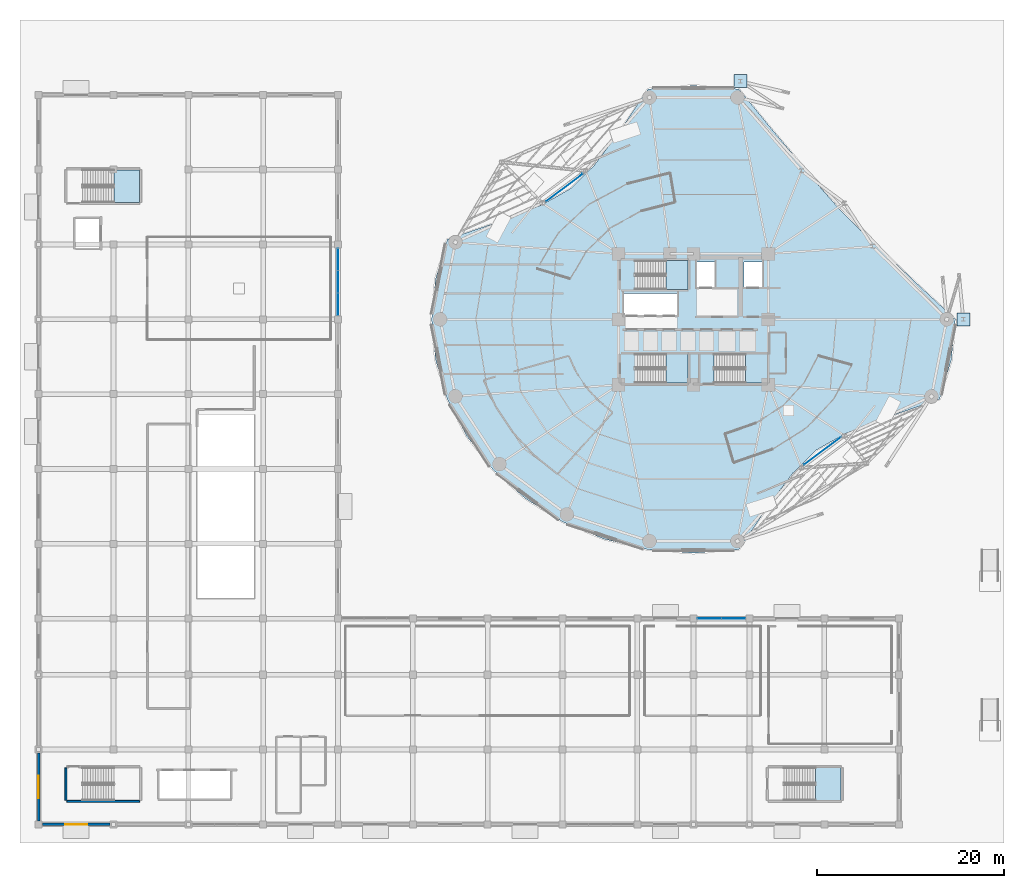
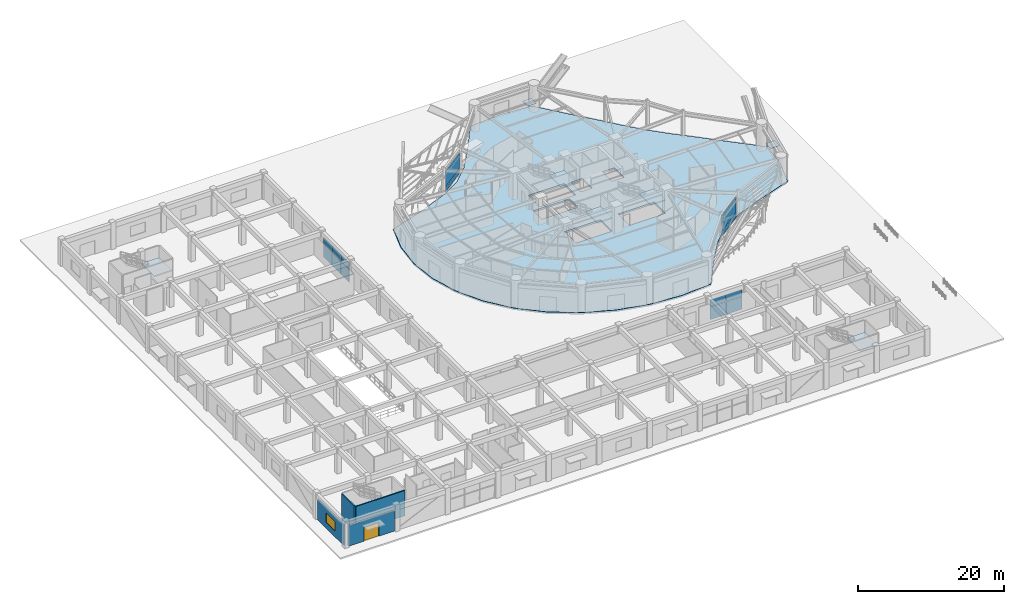
# One storey, part 25 of 40: 16 plates, 6 slabs, 4 walls, 1 door, 1 window, 2 openings, 9 elements without a shape of their own.
"""IFC4 building model written with IfcOpenShell, lengths in metres."""

import ifcopenshell
import ifcopenshell.guid

model = None  # the IFC model being written
_history = None  # IfcOwnerHistory: only IFC2X3 demands one
_inside = {}  # id of a spatial element -> (the spatial element, [elements in it])
_under = {}  # id of a project, library or spatial element -> (it, [spatial elements below it])
_declared = {}  # id of a project -> (the project, [libraries it declares])
_typed = {}  # id of a type object -> (the type object, [elements of that type])
_made_of = {}  # id of a material, layer set ... -> (it, [elements and type objects made of it])


def new_model(schema):
    """Start an empty IFC model of exactly this schema.

    Asked for "IFC4X3", IfcOpenShell would pick the latest addendum, in which some entities
    have other attributes; the version numbers below select the first issue.
    IFC2X3 requires an IfcOwnerHistory on every rooted entity: one is made here for all.
    """
    global model, _history
    if schema == "IFC4X3":
        model = ifcopenshell.file(schema_version=(4, 3, 0, 0))
    else:
        model = ifcopenshell.file(schema=schema)
    _inside.clear()
    _under.clear()
    _declared.clear()
    _typed.clear()
    _made_of.clear()
    _history = None
    if model.schema == "IFC2X3":
        org = make("IfcOrganization", Name="unknown")
        user = make(
            "IfcPersonAndOrganization",
            ThePerson=make("IfcPerson", FamilyName="unknown"),
            TheOrganization=org,
        )
        app = make(
            "IfcApplication",
            ApplicationDeveloper=org,
            Version="unknown",
            ApplicationFullName="unknown",
            ApplicationIdentifier="unknown",
        )
        _history = make(
            "IfcOwnerHistory",
            OwningUser=user,
            OwningApplication=app,
            ChangeAction="ADDED",
            CreationDate=0,
        )
    return model


def make(cls, **values):
    """One entity of the class cls with the attributes given. An attribute that is None is left unset."""
    return model.create_entity(
        cls, **{name: value for name, value in values.items() if value is not None}
    )


def rooted(cls, **values):
    """An entity with a GlobalId (a new one), such as an element, a storey or a relation."""
    return make(cls, GlobalId=ifcopenshell.guid.new(), OwnerHistory=_history, **values)


def si_unit(unit_type, name, prefix=None):
    """IfcSIUnit, for example si_unit("LENGTHUNIT", "METRE", prefix="MILLI")."""
    return make("IfcSIUnit", UnitType=unit_type, Prefix=prefix, Name=name)


def assignment(units):
    """IfcUnitAssignment: the units of a project."""
    return None if units is None else make("IfcUnitAssignment", Units=units)


def point(xyz):
    """IfcCartesianPoint."""
    return None if xyz is None else make("IfcCartesianPoint", Coordinates=xyz)


def direction(xyz):
    """IfcDirection."""
    return None if xyz is None else make("IfcDirection", DirectionRatios=xyz)


def frame(location, z_axis=None, x_axis=None):
    """IfcAxis2Placement3D, a coordinate frame: its origin and axes. An axis left out is left unset."""
    return make(
        "IfcAxis2Placement3D",
        Location=point(location),
        Axis=direction(z_axis),
        RefDirection=direction(x_axis),
    )


def frame_2d(location, x_axis=None):
    """IfcAxis2Placement2D, a coordinate frame in the plane: its origin and x axis."""
    return make(
        "IfcAxis2Placement2D", Location=point(location), RefDirection=direction(x_axis)
    )


def origin():
    """The frame at (0, 0, 0) with its axes left unset."""
    return frame((0.0, 0.0, 0.0))


def origin_2d():
    """The frame at (0, 0) in the plane with its x axis left unset."""
    return frame_2d((0.0, 0.0))


def place(relative_to, where):
    """IfcLocalPlacement: puts the frame where relative to a parent placement (None: the world)."""
    return make(
        "IfcLocalPlacement", PlacementRelTo=relative_to, RelativePlacement=where
    )


def context(
    kind, dimensions, precision=None, world=None, true_north=None, identifier=None
):
    """IfcGeometricRepresentationContext, for example the 3D "Model" context."""
    return make(
        "IfcGeometricRepresentationContext",
        ContextIdentifier=identifier,
        ContextType=kind,
        CoordinateSpaceDimension=dimensions,
        Precision=precision,
        WorldCoordinateSystem=world,
        TrueNorth=true_north,
    )


def subcontext(parent, identifier, kind, view, scale=None):
    """IfcGeometricRepresentationSubContext, for example "Body" below "Model"."""
    return make(
        "IfcGeometricRepresentationSubContext",
        ContextIdentifier=identifier,
        ContextType=kind,
        ParentContext=parent,
        TargetScale=scale,
        TargetView=view,
    )


def project(units=None, contexts=None):
    """IfcProject with its units and contexts."""
    return rooted(
        "IfcProject",
        Name="project",
        RepresentationContexts=contexts,
        UnitsInContext=assignment(units),
    )


def spatial(cls, under=None, at=None, **own):
    """A site, building, storey or space (cls), placed at a placement, below another one or the project."""
    s = rooted(cls, ObjectPlacement=at, **own)
    if under is not None:
        _under.setdefault(under.id(), (under, []))[1].append(s)
    return s


def polyline(points):
    """IfcPolyline through the points."""
    return make("IfcPolyline", Points=[point(p) for p in points])


def profile(cls, at=None, kind="AREA", **sizes):
    """A parametric profile (cls). Its sizes go by their IFC names, for example OverallWidth=200.0."""
    return make(cls, ProfileType=kind, Position=at, **sizes)


def rectangle(**sizes):
    """IfcRectangleProfileDef."""
    return profile("IfcRectangleProfileDef", **sizes)


def outline(outer, holes=None, kind="AREA"):
    """IfcArbitraryClosedProfileDef: a profile drawn as a closed curve; with holes, ...WithVoids."""
    if holes is None:
        return make("IfcArbitraryClosedProfileDef", ProfileType=kind, OuterCurve=outer)
    return make(
        "IfcArbitraryProfileDefWithVoids",
        ProfileType=kind,
        OuterCurve=outer,
        InnerCurves=holes,
    )


def extrude(swept, where, along, depth):
    """IfcExtrudedAreaSolid: the profile swept, set in the frame where, extruded along a direction by depth."""
    return make(
        "IfcExtrudedAreaSolid",
        SweptArea=swept,
        Position=where,
        ExtrudedDirection=direction(along),
        Depth=depth,
    )


def shape(context_of_items, identifier, shape_type, items):
    """IfcShapeRepresentation: the items that make up one representation, for example the "Body"."""
    return make(
        "IfcShapeRepresentation",
        ContextOfItems=context_of_items,
        RepresentationIdentifier=identifier,
        RepresentationType=shape_type,
        Items=items,
    )


def source(mapping_origin, context_of_items, identifier, shape_type, items):
    """IfcRepresentationMap: a shape defined once, which mapped items show again and again."""
    return make(
        "IfcRepresentationMap",
        MappingOrigin=mapping_origin,
        MappedRepresentation=shape(context_of_items, identifier, shape_type, items),
    )


def transform(
    local_origin,
    x_axis=None,
    y_axis=None,
    z_axis=None,
    scale=None,
    scale2=None,
    scale3=None,
    uniform=True,
):
    """IfcCartesianTransformationOperator3D, or its non-uniform kind. x_axis, y_axis, z_axis: its Axis1, 2, 3."""
    if uniform:
        return make(
            "IfcCartesianTransformationOperator3D",
            Axis1=direction(x_axis),
            Axis2=direction(y_axis),
            LocalOrigin=point(local_origin),
            Scale=scale,
            Axis3=direction(z_axis),
        )
    return make(
        "IfcCartesianTransformationOperator3DnonUniform",
        Axis1=direction(x_axis),
        Axis2=direction(y_axis),
        LocalOrigin=point(local_origin),
        Scale=scale,
        Axis3=direction(z_axis),
        Scale2=scale2,
        Scale3=scale3,
    )


def mapped(mapping_source, mapping_target):
    """IfcMappedItem: shows the shape of a source again, moved by a transform."""
    return make(
        "IfcMappedItem", MappingSource=mapping_source, MappingTarget=mapping_target
    )


def material(Name=None, Category=None):
    """IfcMaterial."""
    return make("IfcMaterial", Name=Name, Category=Category)


def layer(
    of_material, thickness, ventilated=None, Name=None, Category=None, Priority=None
):
    """IfcMaterialLayer: one layer of a wall or slab, of a material (None: an air gap)."""
    return make(
        "IfcMaterialLayer",
        Material=of_material,
        LayerThickness=thickness,
        IsVentilated=ventilated,
        Name=Name,
        Category=Category,
        Priority=Priority,
    )


def layer_set(layers, Name=None):
    """IfcMaterialLayerSet."""
    return make("IfcMaterialLayerSet", MaterialLayers=layers, LayerSetName=Name)


def made_of(thing, what):
    """Note that an element or type object is made of a material, layer set ...; save() writes the relation."""
    if what is not None:
        _made_of.setdefault(what.id(), (what, []))[1].append(thing)
    return thing


def type_object(cls, material=None, **own):
    """A type object (cls), such as IfcWallType, which elements share."""
    return made_of(rooted(cls, **own), material)


def element(
    cls,
    number,
    at=None,
    inside=None,
    cuts=None,
    type_object=None,
    material=None,
    context=None,
    identifier="Body",
    shape_type=None,
    held_by="IfcProductDefinitionShape",
    body=None,
    shapes=None,
    **own,
):
    """One element of the class cls, such as IfcWall. Its Tag is "e" and its number.

    at: its placement. inside: the storey or other place that contains it. cuts: it is an
    opening in that element (IfcRelVoidsElement). A single representation is given by context,
    identifier, shape_type and body (its items); several are given by shapes. held_by: the class
    of the entity that holds the representations. save() writes the other relations.
    """
    e = rooted(cls, Tag="e%d" % number, ObjectPlacement=at, **own)
    if body is not None:
        shapes = [shape(context, identifier, shape_type, body)]
    if shapes is not None:
        e.Representation = make(held_by, Representations=shapes)
    if inside is not None:
        _inside.setdefault(inside.id(), (inside, []))[1].append(e)
    if cuts is not None:
        rooted(
            "IfcRelVoidsElement", RelatingBuildingElement=cuts, RelatedOpeningElement=e
        )
    if type_object is not None:
        _typed.setdefault(type_object.id(), (type_object, []))[1].append(e)
    return made_of(e, material)


def fill(opening, filler):
    """IfcRelFillsElement: the door or window that sits in an opening."""
    return rooted(
        "IfcRelFillsElement",
        RelatingOpeningElement=opening,
        RelatedBuildingElement=filler,
    )


def aggregate(whole, parts):
    """IfcRelAggregates: a whole, such as a stair, and the parts it consists of."""
    return rooted("IfcRelAggregates", RelatingObject=whole, RelatedObjects=parts)


def save(model, path):
    """Write the relations noted so far, then the file.

    IfcRelAggregates (storeys below a building ...), IfcRelContainedInSpatialStructure (elements
    in a storey), IfcRelDefinesByType, IfcRelAssociatesMaterial and IfcRelDeclares: one each for
    every whole, place, type object, material and project.
    """
    for whole, parts in _under.values():
        aggregate(whole, parts)
    for where, things in _inside.values():
        rooted(
            "IfcRelContainedInSpatialStructure",
            RelatedElements=things,
            RelatingStructure=where,
        )
    for kind, things in _typed.values():
        rooted("IfcRelDefinesByType", RelatedObjects=things, RelatingType=kind)
    for what, things in _made_of.values():
        rooted("IfcRelAssociatesMaterial", RelatedObjects=things, RelatingMaterial=what)
    for by, libraries in _declared.values():
        rooted("IfcRelDeclares", RelatingContext=by, RelatedDefinitions=libraries)
    model.write(path)


model = new_model("IFC4")

# Units and contexts
model_context = context("Model", 3, precision=1e-05, world=origin(), true_north=direction((0.0, 1.0)))
body_context = subcontext(model_context, "Body", "Model", "MODEL_VIEW")
ifc_project = project(units=[si_unit("LENGTHUNIT", "METRE"), si_unit("AREAUNIT", "SQUARE_METRE"), si_unit("VOLUMEUNIT", "CUBIC_METRE"), si_unit("PLANEANGLEUNIT", "RADIAN"), si_unit("MASSUNIT", "GRAM", prefix="KILO")], contexts=[model_context])

# Site, building, storey
site_placement = place(None, origin())
site = spatial("IfcSite", under=ifc_project, at=site_placement, CompositionType="ELEMENT")
building_placement = place(site_placement, origin())
building = spatial("IfcBuilding", under=site, at=building_placement, Name="Kelanora Arch Commons", CompositionType="ELEMENT")
storey_placement = place(building_placement, origin())
storey = spatial("IfcBuildingStorey", under=building, at=storey_placement, Name="L00", CompositionType="ELEMENT", Elevation=0.0)

# Stair, slab
ifc_material_1 = material(Name="Concrete C40/50", Category="concrete")
stair_type = type_object("IfcStairType", Name="STR-DL-450", PredefinedType="HALF_TURN_STAIR", material=ifc_material_1)
stair_1_placement = place(storey_placement, origin())
stair_1 = element("IfcStair", 1, at=stair_1_placement, inside=storey, type_object=stair_type, Name="L00 ST-T1", PredefinedType="HALF_TURN_STAIR")
ifc_layer_1 = layer(ifc_material_1, 0.199951171875)
ifc_layer_set_1 = layer_set([ifc_layer_1], Name="Concrete C40/50")
slab_type_1 = type_object("IfcSlabType", Name="SLB-STAIR-LND", PredefinedType="LANDING", material=ifc_layer_set_1)
slab_1_placement = place(storey_placement, frame((0.0, 0.0, 2.050048828125)))
slab_1 = element("IfcSlab", 2, at=slab_1_placement, type_object=slab_type_1, Name="ST-T1 landing 1", PredefinedType="LANDING", context=body_context, shape_type="SweptSolid", body=[
    extrude(outline(polyline([(71.080078125, 61.179931640625), (73.43994140625, 61.179931640625), (73.43994140625, 64.2900390625), (71.080078125, 64.2900390625), (71.080078125, 61.179931640625)])), origin(), (0.0, 0.0, 1.0), 0.199951171875),
])
aggregate(stair_1, [slab_1])

stair_2_placement = place(storey_placement, origin())
stair_2 = element("IfcStair", 3, at=stair_2_placement, inside=storey, type_object=stair_type, Name="L00 ST-T2", PredefinedType="HALF_TURN_STAIR")
slab_2_placement = place(storey_placement, frame((0.0, 0.0, 2.050048828125)))
slab_2 = element("IfcSlab", 4, at=slab_2_placement, type_object=slab_type_1, Name="ST-T2 landing 1", PredefinedType="LANDING", context=body_context, shape_type="SweptSolid", body=[
    extrude(outline(polyline([(79.56005859375, 51.179931640625), (81.919921875, 51.179931640625), (81.919921875, 54.2900390625), (79.56005859375, 54.2900390625), (79.56005859375, 51.179931640625)])), origin(), (0.0, 0.0, 1.0), 0.199951171875),
])
aggregate(stair_2, [slab_2])

stair_3_placement = place(storey_placement, origin())
stair_3 = element("IfcStair", 5, at=stair_3_placement, inside=storey, type_object=stair_type, Name="L00 ST-T3", PredefinedType="HALF_TURN_STAIR")
slab_3_placement = place(storey_placement, frame((0.0, 0.0, 2.050048828125)))
slab_3 = element("IfcSlab", 6, at=slab_3_placement, type_object=slab_type_1, Name="ST-T3 landing 1", PredefinedType="LANDING", context=body_context, shape_type="SweptSolid", body=[
    extrude(outline(polyline([(71.080078125, 51.179931640625), (73.43994140625, 51.179931640625), (73.43994140625, 54.2900390625), (71.080078125, 54.2900390625), (71.080078125, 51.179931640625)])), origin(), (0.0, 0.0, 1.0), 0.199951171875),
])
aggregate(stair_3, [slab_3])

stair_4_placement = place(storey_placement, origin())
stair_4 = element("IfcStair", 7, at=stair_4_placement, inside=storey, type_object=stair_type, Name="L00 ST-M2", PredefinedType="HALF_TURN_STAIR")
slab_4_placement = place(storey_placement, frame((0.0, 0.0, 2.050048828125)))
slab_4 = element("IfcSlab", 8, at=slab_4_placement, type_object=slab_type_1, Name="ST-M2 landing 1", PredefinedType="LANDING", context=body_context, shape_type="SweptSolid", body=[
    extrude(outline(polyline([(87.0400390625, 6.56005859375), (89.800048828125, 6.56005859375), (89.800048828125, 10.070068359375), (87.0400390625, 10.070068359375), (87.0400390625, 6.56005859375)])), origin(), (0.0, 0.0, 1.0), 0.199951171875),
])
aggregate(stair_4, [slab_4])

stair_5_placement = place(storey_placement, origin())
stair_5 = element("IfcStair", 9, at=stair_5_placement, inside=storey, type_object=stair_type, Name="L00 ST-M3", PredefinedType="HALF_TURN_STAIR")
slab_5_placement = place(storey_placement, frame((0.0, 0.0, 2.050048828125)))
slab_5 = element("IfcSlab", 10, at=slab_5_placement, type_object=slab_type_1, Name="ST-M3 landing 1", PredefinedType="LANDING", context=body_context, shape_type="SweptSolid", body=[
    extrude(outline(polyline([(12.0400390625, 70.47998046875), (14.800048828125, 70.47998046875), (14.800048828125, 73.989990234375), (12.0400390625, 73.989990234375), (12.0400390625, 70.47998046875)])), origin(), (0.0, 0.0, 1.0), 0.199951171875),
])
aggregate(stair_5, [slab_5])

# Slab
ifc_layer_2 = layer(ifc_material_1, 0.300048828125)
ifc_layer_set_2 = layer_set([ifc_layer_2], Name="Concrete C40/50")
slab_type_2 = type_object("IfcSlabType", Name="SLB-TWR-POD", PredefinedType="FLOOR", material=ifc_layer_set_2)
slab_6_placement = place(storey_placement, frame((0.0, 0.0, -0.300048828125)))
element("IfcSlab", 11, at=slab_6_placement, inside=storey, type_object=slab_type_2, Name="Tower Floor Slab L00", PredefinedType="FLOOR", context=body_context, shape_type="SweptSolid", body=[
    extrude(outline(polyline([(102.0, 58.0), (97.9521484375, 61.77099609375), (94.83349609375, 64.770263671875), (92.0791015625, 67.319580078125), (89.657958984375, 69.73095703125), (87.418701171875, 72.2783203125), (85.085205078125, 75.14306640625), (82.318603515625, 78.406005859375), (78.862060546875, 82.6201171875), (74.0, 83.0), (69.137939453125, 82.6201171875), (65.908447265625, 77.849365234375), (63.369140625, 74.4404296875), (60.861328125, 71.980224609375), (57.71240234375, 70.202392578125), (53.51171875, 68.5615234375), (47.688720703125, 66.550537109375), (46.42529296875, 62.34130859375), (46.0, 58.0), (46.42529296875, 53.65869140625), (47.688720703125, 49.449462890625), (49.751220703125, 45.5), (52.55078125, 41.930419921875), (56.001953125, 38.848876953125), (60.0, 36.349365234375), (64.42333984375, 34.5078125), (69.137939453125, 33.3798828125), (74.0, 33.0), (78.862060546875, 33.3798828125), (82.091552734375, 38.150634765625), (84.630859375, 41.5595703125), (87.138671875, 44.019775390625), (90.28759765625, 45.797607421875), (94.48828125, 47.4384765625), (100.311279296875, 49.449462890625), (101.57470703125, 53.65869140625), (102.0, 58.0)]), holes=[polyline([(73.431884765625, 51.18798828125), (67.72802734375, 51.18798828125), (67.72802734375, 54.281982421875), (73.431884765625, 54.281982421875), (73.431884765625, 51.18798828125)]), polyline([(76.2080078125, 51.18798828125), (76.2080078125, 54.281982421875), (81.912109375, 54.281982421875), (81.912109375, 51.18798828125), (76.2080078125, 51.18798828125)]), polyline([(66.550048828125, 58.449951171875), (66.550048828125, 60.75), (72.25, 60.75), (72.25, 58.449951171875), (66.550048828125, 58.449951171875)]), polyline([(73.431884765625, 61.18798828125), (67.72802734375, 61.18798828125), (67.72802734375, 64.281982421875), (73.431884765625, 64.281982421875), (73.431884765625, 61.18798828125)]), polyline([(74.3798828125, 61.47998046875), (74.3798828125, 64.1201171875), (76.260009765625, 64.1201171875), (76.260009765625, 61.47998046875), (74.3798828125, 61.47998046875)]), polyline([(79.3798828125, 61.47998046875), (79.3798828125, 64.1201171875), (81.320068359375, 64.1201171875), (81.320068359375, 61.47998046875), (79.3798828125, 61.47998046875)])]), origin(), (0.0, 0.0, 1.0), 0.300048828125),
])

# Plates
ifc_material_2 = material(Name="Steel S355", Category="steel")
ifc_layer_3 = layer(ifc_material_2, 0.06494140625)
ifc_layer_set_3 = layer_set([ifc_layer_3], Name="Steel S355")
plate_type_1 = type_object("IfcPlateType", Name="PLT-ARCH-SHOE", PredefinedType="SHEET", material=ifc_layer_set_3)
shared_shape_1 = source(origin(), body_context, "Body", "SweptSolid", [
    extrude(rectangle(XDim=1.39990234375, YDim=1.39990234375, at=origin_2d()), origin(), (0.0, 0.0, 1.0), 0.06494140625),
])
for number, where, z_axis, x_axis, name in (
    (12, (102.85009765625, 58.0, 0.0), (0.0, 0.0, 1.0), (1.0, 0.0, 0.0), "Giant Arch Abutment Base Shoe 1"),
    (13, (79.009765625, 83.457275390625, 0.0), (0.0, 0.0, 1.0), (1.0, 0.0, 0.0), "Giant Arch Abutment Base Shoe 2"),
):
    element("IfcPlate", number, at=place(storey_placement, frame(where, z_axis=z_axis, x_axis=x_axis)), inside=storey, type_object=plate_type_1, Name=name, PredefinedType="SHEET", context=body_context, shape_type="MappedRepresentation", body=[
        mapped(shared_shape_1, transform((0.0, 0.0, 0.0), scale=1.0)),
    ])

# Curtain wall, plate
ifc_material_3 = material(Name="Terracotta ceramic-fritted low-E glass and aluminium", Category="masonry")
ifc_layer_4 = layer(ifc_material_3, 0.2099609375)
ifc_layer_set_4 = layer_set([ifc_layer_4], Name="Terracotta ceramic-fritted low-E glass and aluminium")
curtain_wall_type_1 = type_object("IfcCurtainWallType", Name="CW-SYS-04", PredefinedType="NOTDEFINED", material=ifc_layer_set_4)
curtain_wall_1_placement = place(storey_placement, origin())
curtain_wall_1 = element("IfcCurtainWall", 14, at=curtain_wall_1_placement, inside=storey, type_object=curtain_wall_type_1, Name="Unitised Curtain Wall L00-B06", PredefinedType="NOTDEFINED")
ifc_material_4 = material(Name="Clear laminated solar-control double glazing", Category="glass")
ifc_layer_5 = layer(ifc_material_4, 0.033935546875)
ifc_layer_set_5 = layer_set([ifc_layer_5], Name="Clear laminated solar-control double glazing")
plate_type_2 = type_object("IfcPlateType", Name="CWP-CLR", PredefinedType="CURTAIN_PANEL", material=ifc_layer_set_5)
shared_shape_2 = source(origin(), body_context, "Body", "SweptSolid", [
    extrude(rectangle(XDim=4.849609375, YDim=0.033935546875, at=origin_2d()), origin(), (0.0, 0.0, 1.0), 0.81005859375),
])
plate_1_placement = place(storey_placement, frame((60.20458984375, 72.069580078125, 0.06005859375), z_axis=(0.0, 0.0, 1.0), x_axis=(-0.80030897426, -0.599587813185, 0.0)))
plate_1 = element("IfcPlate", 15, at=plate_1_placement, type_object=plate_type_2, Name="CW-04 panel 1.1", PredefinedType="CURTAIN_PANEL", context=body_context, shape_type="MappedRepresentation", body=[
    mapped(shared_shape_2, transform((0.0, 0.0, 0.0), scale=1.0)),
])

curtain_wall_2_placement = place(storey_placement, origin())
curtain_wall_2 = element("IfcCurtainWall", 16, at=curtain_wall_2_placement, inside=storey, type_object=curtain_wall_type_1, Name="Unitised Curtain Wall L00-B15", PredefinedType="NOTDEFINED")
plate_2_placement = place(storey_placement, frame((87.79541015625, 43.930419921875, 0.06005859375), z_axis=(0.0, 0.0, 1.0), x_axis=(0.80030897426, 0.599587813185, 0.0)))
plate_2 = element("IfcPlate", 17, at=plate_2_placement, type_object=plate_type_2, Name="CW-04 panel 1.1", PredefinedType="CURTAIN_PANEL", context=body_context, shape_type="MappedRepresentation", body=[
    mapped(shared_shape_2, transform((0.0, 0.0, 0.0), scale=1.0)),
])

# Plate
shared_shape_3 = source(origin(), body_context, "Body", "SweptSolid", [
    extrude(rectangle(XDim=4.849609375, YDim=0.033935546875, at=origin_2d()), origin(), (0.0, 0.0, 1.0), 2.590087890625),
])
plate_3_placement = place(storey_placement, frame((60.20458984375, 72.069580078125, 0.93017578125), z_axis=(0.0, 0.0, 1.0), x_axis=(-0.80030897426, -0.599587813185, 0.0)))
plate_3 = element("IfcPlate", 18, at=plate_3_placement, type_object=plate_type_2, Name="CW-04 panel 1.2", PredefinedType="CURTAIN_PANEL", context=body_context, shape_type="MappedRepresentation", body=[
    mapped(shared_shape_3, transform((0.0, 0.0, 0.0), scale=1.0)),
])

aggregate(curtain_wall_1, [plate_1, plate_3])

plate_4_placement = place(storey_placement, frame((87.79541015625, 43.930419921875, 0.93017578125), z_axis=(0.0, 0.0, 1.0), x_axis=(0.80030897426, 0.599587813185, 0.0)))
plate_4 = element("IfcPlate", 19, at=plate_4_placement, type_object=plate_type_2, Name="CW-04 panel 1.2", PredefinedType="CURTAIN_PANEL", context=body_context, shape_type="MappedRepresentation", body=[
    mapped(shared_shape_3, transform((0.0, 0.0, 0.0), scale=1.0)),
])

aggregate(curtain_wall_2, [plate_2, plate_4])

# Curtain wall, plates
ifc_layer_6 = layer(ifc_material_3, 0.16796875)
ifc_layer_set_6 = layer_set([ifc_layer_6], Name="Terracotta ceramic-fritted low-E glass and aluminium")
curtain_wall_type_2 = type_object("IfcCurtainWallType", Name="CW-SYS-07", PredefinedType="NOTDEFINED", material=ifc_layer_set_6)
curtain_wall_3_placement = place(storey_placement, origin())
curtain_wall_3 = element("IfcCurtainWall", 20, at=curtain_wall_3_placement, inside=storey, type_object=curtain_wall_type_2, Name="Market Hall Arcade Curtain Wall L00-27", PredefinedType="NOTDEFINED")
shared_shape_4 = source(origin(), body_context, "Body", "SweptSolid", [
    extrude(rectangle(XDim=2.31005859375, YDim=0.033935546875, at=origin_2d()), origin(), (0.0, 0.0, 1.0), 2.110107421875),
])
plate_5_placement = place(storey_placement, frame((36.0, 59.614990234375, 0.06005859375), z_axis=(0.0, 0.0, 1.0), x_axis=(0.0, 1.0, 0.0)))
plate_5 = element("IfcPlate", 21, at=plate_5_placement, type_object=plate_type_2, Name="CW-07 panel 1.1", PredefinedType="CURTAIN_PANEL", context=body_context, shape_type="MappedRepresentation", body=[
    mapped(shared_shape_4, transform((0.0, 0.0, 0.0), scale=1.0)),
])
plate_6_placement = place(storey_placement, frame((36.0, 64.385009765625, 0.06005859375), z_axis=(0.0, 0.0, 1.0), x_axis=(0.0, 1.0, 0.0)))
plate_6 = element("IfcPlate", 22, at=plate_6_placement, type_object=plate_type_2, Name="CW-07 panel 3.1", PredefinedType="CURTAIN_PANEL", context=body_context, shape_type="MappedRepresentation", body=[
    mapped(shared_shape_4, transform((0.0, 0.0, 0.0), scale=1.0)),
])
shared_shape_5 = source(origin(), body_context, "Body", "SweptSolid", [
    extrude(rectangle(XDim=2.31005859375, YDim=0.033935546875, at=origin_2d()), origin(), (0.0, 0.0, 1.0), 1.1298828125),
])
plate_7_placement = place(storey_placement, frame((36.0, 59.614990234375, 2.22998046875), z_axis=(0.0, 0.0, 1.0), x_axis=(0.0, 1.0, 0.0)))
plate_7 = element("IfcPlate", 23, at=plate_7_placement, type_object=plate_type_2, Name="CW-07 panel 1.2", PredefinedType="CURTAIN_PANEL", context=body_context, shape_type="MappedRepresentation", body=[
    mapped(shared_shape_5, transform((0.0, 0.0, 0.0), scale=1.0)),
])
plate_8_placement = place(storey_placement, frame((36.0, 64.385009765625, 2.22998046875), z_axis=(0.0, 0.0, 1.0), x_axis=(0.0, 1.0, 0.0)))
plate_8 = element("IfcPlate", 24, at=plate_8_placement, type_object=plate_type_2, Name="CW-07 panel 3.2", PredefinedType="CURTAIN_PANEL", context=body_context, shape_type="MappedRepresentation", body=[
    mapped(shared_shape_5, transform((0.0, 0.0, 0.0), scale=1.0)),
])
shared_shape_6 = source(origin(), body_context, "Body", "SweptSolid", [
    extrude(rectangle(XDim=2.340087890625, YDim=0.033935546875, at=origin_2d()), origin(), (0.0, 0.0, 1.0), 2.110107421875),
])
plate_9_placement = place(storey_placement, frame((36.0, 62.0, 0.06005859375), z_axis=(0.0, 0.0, 1.0), x_axis=(0.0, 1.0, 0.0)))
plate_9 = element("IfcPlate", 25, at=plate_9_placement, type_object=plate_type_2, Name="CW-07 panel 2.1", PredefinedType="CURTAIN_PANEL", context=body_context, shape_type="MappedRepresentation", body=[
    mapped(shared_shape_6, transform((0.0, 0.0, 0.0), scale=1.0)),
])
shared_shape_7 = source(origin(), body_context, "Body", "SweptSolid", [
    extrude(rectangle(XDim=2.340087890625, YDim=0.033935546875, at=origin_2d()), origin(), (0.0, 0.0, 1.0), 1.1298828125),
])
plate_10_placement = place(storey_placement, frame((36.0, 62.0, 2.22998046875), z_axis=(0.0, 0.0, 1.0), x_axis=(0.0, 1.0, 0.0)))
plate_10 = element("IfcPlate", 26, at=plate_10_placement, type_object=plate_type_2, Name="CW-07 panel 2.2", PredefinedType="CURTAIN_PANEL", context=body_context, shape_type="MappedRepresentation", body=[
    mapped(shared_shape_7, transform((0.0, 0.0, 0.0), scale=1.0)),
])
aggregate(curtain_wall_3, [plate_5, plate_7, plate_9, plate_10, plate_6, plate_8])

curtain_wall_4_placement = place(storey_placement, origin())
curtain_wall_4 = element("IfcCurtainWall", 27, at=curtain_wall_4_placement, inside=storey, type_object=curtain_wall_type_2, Name="Market Hall Arcade Curtain Wall L00-17", PredefinedType="NOTDEFINED")
shared_shape_8 = source(origin(), body_context, "Body", "SweptSolid", [
    extrude(rectangle(XDim=2.510009765625, YDim=0.033935546875, at=origin_2d()), origin(), (0.0, 0.0, 1.0), 2.110107421875),
])
plate_11_placement = place(storey_placement, frame((78.284912109375, 26.0, 0.06005859375), z_axis=(0.0, 0.0, 1.0), x_axis=(-1.0, 0.0, 0.0)))
plate_11 = element("IfcPlate", 28, at=plate_11_placement, type_object=plate_type_2, Name="CW-07 panel 1.1", PredefinedType="CURTAIN_PANEL", context=body_context, shape_type="MappedRepresentation", body=[
    mapped(shared_shape_8, transform((0.0, 0.0, 0.0), scale=1.0)),
])
plate_12_placement = place(storey_placement, frame((75.715087890625, 26.0, 0.06005859375), z_axis=(0.0, 0.0, 1.0), x_axis=(-1.0, 0.0, 0.0)))
plate_12 = element("IfcPlate", 29, at=plate_12_placement, type_object=plate_type_2, Name="CW-07 panel 2.1", PredefinedType="CURTAIN_PANEL", context=body_context, shape_type="MappedRepresentation", body=[
    mapped(shared_shape_8, transform((0.0, 0.0, 0.0), scale=1.0)),
])
shared_shape_9 = source(origin(), body_context, "Body", "SweptSolid", [
    extrude(rectangle(XDim=2.510009765625, YDim=0.033935546875, at=origin_2d()), origin(), (0.0, 0.0, 1.0), 1.1298828125),
])
plate_13_placement = place(storey_placement, frame((78.284912109375, 26.0, 2.22998046875), z_axis=(0.0, 0.0, 1.0), x_axis=(-1.0, 0.0, 0.0)))
plate_13 = element("IfcPlate", 30, at=plate_13_placement, type_object=plate_type_2, Name="CW-07 panel 1.2", PredefinedType="CURTAIN_PANEL", context=body_context, shape_type="MappedRepresentation", body=[
    mapped(shared_shape_9, transform((0.0, 0.0, 0.0), scale=1.0)),
])
plate_14_placement = place(storey_placement, frame((75.715087890625, 26.0, 2.22998046875), z_axis=(0.0, 0.0, 1.0), x_axis=(-1.0, 0.0, 0.0)))
plate_14 = element("IfcPlate", 31, at=plate_14_placement, type_object=plate_type_2, Name="CW-07 panel 2.2", PredefinedType="CURTAIN_PANEL", context=body_context, shape_type="MappedRepresentation", body=[
    mapped(shared_shape_9, transform((0.0, 0.0, 0.0), scale=1.0)),
])
aggregate(curtain_wall_4, [plate_11, plate_13, plate_12, plate_14])

# Wall, opening, door
ifc_material_5 = material(Name="Precast concrete C40/50 with terracotta ceramic cladding", Category="masonry")
ifc_layer_7 = layer(ifc_material_5, 0.25)
ifc_layer_set_7 = layer_set([ifc_layer_7], Name="Precast concrete C40/50 with terracotta ceramic cladding")
wall_type_1 = type_object("IfcWallType", Name="W-EXT-MKT", PredefinedType="SOLIDWALL", material=ifc_layer_set_7)
wall_1_placement = place(storey_placement, frame((4.3798828125, 4.0, 0.0), z_axis=(0.0, 0.0, 1.0), x_axis=(1.0, 0.0, 0.0)))
wall_1 = element("IfcWall", 32, at=wall_1_placement, inside=storey, type_object=wall_type_1, Name="Market Hall Exterior Wall L00-00", PredefinedType="SOLIDWALL", context=body_context, shape_type="SweptSolid", body=[
    extrude(rectangle(XDim=7.240234375, YDim=0.25, at=frame_2d((3.6201171875, 0.0))), origin(), (0.0, 0.0, 1.0), 3.419921875),
])
opening_1_placement = place(wall_1_placement, frame((2.445068359375, 0.0, 0.0)))
opening_1 = element("IfcOpeningElement", 33, at=opening_1_placement, cuts=wall_1, Name="Opening DX-02", PredefinedType="OPENING", context=body_context, shape_type="SweptSolid", body=[
    extrude(rectangle(XDim=2.35009765625, YDim=2.300048828125, at=frame_2d((1.175048828125, 1.14990234375))), frame((0.0, 0.135009765625, 0.0), z_axis=(0.0, -1.0, 0.0), x_axis=(1.0, 0.0, 0.0)), (0.0, 0.0, 1.0), 0.27001953125),
])
ifc_material_6 = material(Name="Powder-coated aluminium glazed double escape door", Category="aluminium")
door_type = type_object("IfcDoorType", Name="D-EXIT-20", OperationType="NOTDEFINED", PredefinedType="DOOR", material=ifc_material_6)
door_placement = place(opening_1_placement, frame((2.35009765625, 0.0, 0.0), z_axis=(0.0, 0.0, 1.0), x_axis=(-1.0, 0.0, 0.0)))
door = element("IfcDoor", 34, at=door_placement, inside=storey, type_object=door_type, Name="Market Hall Pedestrian Exit Door 00", OperationType="DOUBLE_DOOR_SINGLE_SWING", OverallHeight=2.300048828125, OverallWidth=2.35009765625, PredefinedType="DOOR", context=body_context, shape_type="SweptSolid", body=[
    extrude(rectangle(XDim=2.35009765625, YDim=2.300048828125, at=frame_2d((1.175048828125, 1.14990234375))), frame((0.0, 0.02490234375, 0.0), z_axis=(0.0, -1.0, 0.0), x_axis=(1.0, 0.0, 0.0)), (0.0, 0.0, 1.0), 0.050048828125),
])
fill(opening_1, door)

# Wall, opening, window
wall_2_placement = place(storey_placement, frame((4.0, 11.6201171875, 0.0), z_axis=(0.0, 0.0, 1.0), x_axis=(0.0, -1.0, 0.0)))
wall_2 = element("IfcWall", 35, at=wall_2_placement, inside=storey, type_object=wall_type_1, Name="Market Hall Exterior Wall L00-43", PredefinedType="SOLIDWALL", context=body_context, shape_type="SweptSolid", body=[
    extrude(rectangle(XDim=7.240234375, YDim=0.25, at=frame_2d((3.6201171875, 0.0))), origin(), (0.0, 0.0, 1.0), 3.419921875),
])
opening_2_placement = place(wall_2_placement, frame((2.419921875, 0.0, 0.949951171875)))
opening_2 = element("IfcOpeningElement", 36, at=opening_2_placement, cuts=wall_2, Name="Opening WN-03", PredefinedType="OPENING", context=body_context, shape_type="SweptSolid", body=[
    extrude(rectangle(XDim=2.39990234375, YDim=1.64990234375, at=frame_2d((1.199951171875, 0.824951171875))), frame((0.0, 0.135009765625, 0.0), z_axis=(0.0, -1.0, 0.0), x_axis=(1.0, 0.0, 0.0)), (0.0, 0.0, 1.0), 0.27001953125),
])
ifc_material_7 = material(Name="Bronze-terracotta aluminium monsoon clerestory window", Category="masonry")
window_type = type_object("IfcWindowType", Name="WIN-MKT-24", PartitioningType="TRIPLE_PANEL_VERTICAL", PredefinedType="WINDOW", material=ifc_material_7)
window_placement = place(opening_2_placement, origin())
window = element("IfcWindow", 37, at=window_placement, inside=storey, type_object=window_type, Name="Market Hall Clerestory Window L00-43", OverallHeight=1.64990234375, OverallWidth=2.39990234375, PartitioningType="SINGLE_PANEL", PredefinedType="WINDOW", context=body_context, shape_type="SweptSolid", body=[
    extrude(rectangle(XDim=2.39990234375, YDim=1.64990234375, at=frame_2d((1.199951171875, 0.824951171875))), frame((0.0, 0.030029296875, 0.0), z_axis=(0.0, -1.0, 0.0), x_axis=(1.0, 0.0, 0.0)), (0.0, 0.0, 1.0), 0.06005859375),
])
fill(opening_2, window)

# Walls
ifc_layer_8 = layer(ifc_material_1, 0.199951171875)
ifc_layer_set_8 = layer_set([ifc_layer_8], Name="Concrete C40/50")
wall_type_2 = type_object("IfcWallType", Name="W-STAIR-200", PredefinedType="SHEAR", material=ifc_layer_set_8)
wall_3_placement = place(storey_placement, frame((7.02001953125, 6.4599609375, 0.0), z_axis=(0.0, 0.0, 1.0), x_axis=(1.0, 0.0, 0.0)))
element("IfcWall", 38, at=wall_3_placement, inside=storey, type_object=wall_type_2, Name="Stair ST-M1 Shaft Wall S L00", PredefinedType="SHEAR", context=body_context, shape_type="SweptSolid", body=[
    extrude(rectangle(XDim=7.760009765625, YDim=0.199951171875, at=frame_2d((3.8798828125, 0.0))), origin(), (0.0, 0.0, 1.0), 4.239990234375),
])
wall_4_placement = place(storey_placement, frame((6.89990234375, 10.050048828125, 0.0), z_axis=(0.0, 0.0, 1.0), x_axis=(0.0, -1.0, 0.0)))
element("IfcWall", 39, at=wall_4_placement, inside=storey, type_object=wall_type_2, Name="Stair ST-M1 Shaft Wall W L00", PredefinedType="SHEAR", context=body_context, shape_type="SweptSolid", body=[
    extrude(rectangle(XDim=3.469970703125, YDim=0.199951171875, at=frame_2d((1.73486328125, 0.0))), origin(), (0.0, 0.0, 1.0), 4.239990234375),
])

save(model, "model.ifc")
